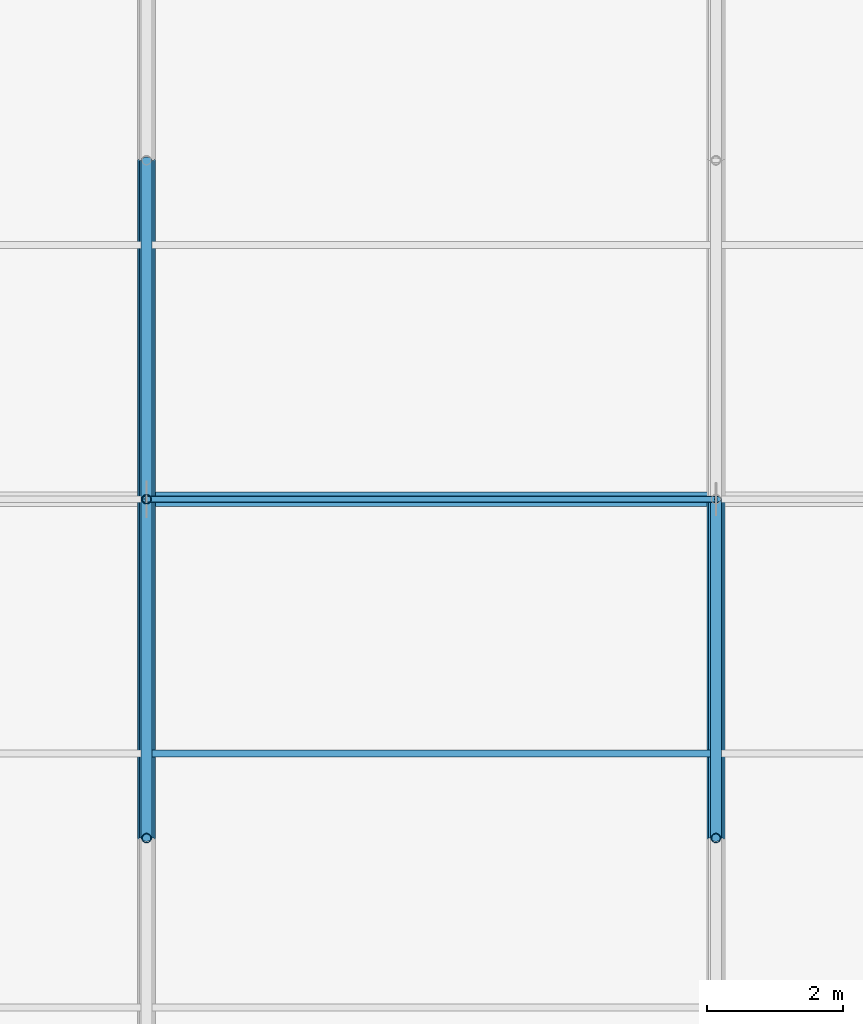
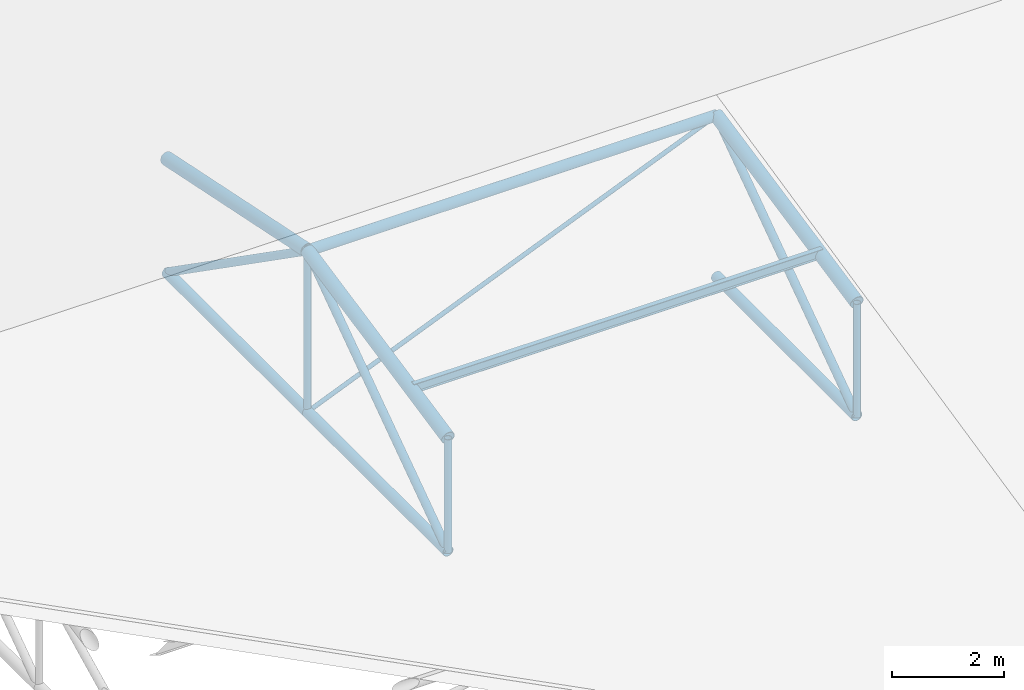
# One storey, part 83 of 194: 14 members, 1 beam.
"""IFC4 building model written with IfcOpenShell, lengths in metres."""

from ifc_helpers import new_model, si_unit, direction, frame, origin, origin_2d, place, context, subcontext, project, spatial, hollow_circle, i_section, extrude, material, material_profile, profile_set, type_object, element, save


model = new_model("IFC4")

# Units and contexts
model_context = context("Model", 3, precision=1e-05, world=origin(), true_north=direction((0.0, 1.0)))
body_context = subcontext(model_context, "Body", "Model", "MODEL_VIEW")
ifc_project = project(units=[si_unit("LENGTHUNIT", "METRE"), si_unit("AREAUNIT", "SQUARE_METRE"), si_unit("VOLUMEUNIT", "CUBIC_METRE"), si_unit("PLANEANGLEUNIT", "RADIAN"), si_unit("MASSUNIT", "GRAM", prefix="KILO")], contexts=[model_context])

# Site, building, storey
site_placement = place(None, origin())
site = spatial("IfcSite", under=ifc_project, at=site_placement, CompositionType="ELEMENT")
building_placement = place(site_placement, origin())
building = spatial("IfcBuilding", under=site, at=building_placement, Name="Kazenagashi Tramway Depot", CompositionType="ELEMENT")
storey_placement = place(building_placement, frame((0.0, 0.0, 23.7)))
storey = spatial("IfcBuildingStorey", under=building, at=storey_placement, Name="ROOF", CompositionType="ELEMENT", Elevation=23.7)

# Beam
ifc_material_1 = material(Name="Steel SN400B", Category="steel")
ifc_material_profile_1 = material_profile(ifc_material_1, i_section(OverallWidth=0.1, OverallDepth=0.2, WebThickness=0.0055, FlangeThickness=0.008, at=origin_2d()), Name="H-200x100x5.5x8")
ifc_profile_set_1 = profile_set([ifc_material_profile_1], Name="Steel SN400B")
beam_type = type_object("IfcBeamType", Name="PR-01", PredefinedType="USERDEFINED", material=ifc_profile_set_1)
beam_placement = place(storey_placement, frame((162.4, 81.25, -11.305), z_axis=(1.0, 0.0, 0.0), x_axis=(0.0, 1.0, 0.0)))
element("IfcBeam", 1, at=beam_placement, inside=storey, type_object=beam_type, Name="Beam PR-01 BM-2068", ObjectType="PURLIN", PredefinedType="USERDEFINED", context=body_context, shape_type="SweptSolid", body=[
    extrude(i_section(OverallWidth=0.1, OverallDepth=0.2, WebThickness=0.0055, FlangeThickness=0.008, at=origin_2d()), origin(), (0.0, 0.0, 1.0), 8.4),
])

# Members
ifc_material_2 = material(Name="Steel STK490", Category="steel")
ifc_material_profile_2 = material_profile(ifc_material_2, hollow_circle(Radius=0.1337, WallThickness=0.0093, at=origin_2d()), Name="CHS-267.4x9.3")
ifc_profile_set_2 = profile_set([ifc_material_profile_2], Name="Steel STK490")
member_type_1 = type_object("IfcMemberType", Name="TC-01", PredefinedType="CHORD", material=ifc_profile_set_2)
for number, where, z_axis, x_axis, name in (
    (2, (162.4, 80.0, -11.633), (0.0, 0.979317999984, 0.202327098797), (-1.0, 0.0, 0.0), "Tubular Space Frame TC-01 MEM-0861"),
    (3, (162.4, 85.0, -10.6), (0.0, 0.979317999984, -0.202327098797), (-1.0, 0.0, 0.0), "Tubular Space Frame TC-01 MEM-0864"),
    (4, (170.8, 80.0, -11.633), (0.0, 0.979317999984, 0.202327098797), (-1.0, 0.0, 0.0), "Tubular Space Frame TC-01 MEM-0922"),
):
    element("IfcMember", number, at=place(storey_placement, frame(where, z_axis=z_axis, x_axis=x_axis)), inside=storey, type_object=member_type_1, Name=name, PredefinedType="CHORD", context=body_context, shape_type="SweptSolid", body=[
        extrude(hollow_circle(Radius=0.1337, WallThickness=0.0093, at=origin_2d()), origin(), (0.0, 0.0, 1.0), 5.105594),
    ])
ifc_material_profile_3 = material_profile(ifc_material_2, hollow_circle(Radius=0.10815, WallThickness=0.0082, at=origin_2d()), Name="CHS-216.3x8.2")
ifc_profile_set_3 = profile_set([ifc_material_profile_3], Name="Steel STK490")
member_type_2 = type_object("IfcMemberType", Name="TC-02", PredefinedType="CHORD", material=ifc_profile_set_3)
for number, where, z_axis, x_axis, name in (
    (5, (162.4, 80.0, -14.1), (0.0, 1.0, 0.0), (-1.0, 0.0, 0.0), "Tubular Space Frame TC-02 MEM-0862"),
    (6, (162.4, 85.0, -14.1), (0.0, 1.0, 0.0), (-1.0, 0.0, 0.0), "Tubular Space Frame TC-02 MEM-0865"),
):
    element("IfcMember", number, at=place(storey_placement, frame(where, z_axis=z_axis, x_axis=x_axis)), inside=storey, type_object=member_type_2, Name=name, PredefinedType="CHORD", context=body_context, shape_type="SweptSolid", body=[
        extrude(hollow_circle(Radius=0.10815, WallThickness=0.0082, at=origin_2d()), origin(), (0.0, 0.0, 1.0), 5.0),
    ])
member_1_placement = place(storey_placement, frame((162.4, 85.0, -10.6), z_axis=(1.0, 0.0, 0.0), x_axis=(0.0, 1.0, 0.0)))
element("IfcMember", 7, at=member_1_placement, inside=storey, type_object=member_type_2, Name="Tubular Space Frame TC-02 MEM-0882", PredefinedType="CHORD", context=body_context, shape_type="SweptSolid", body=[
    extrude(hollow_circle(Radius=0.10815, WallThickness=0.0082, at=origin_2d()), origin(), (0.0, 0.0, 1.0), 8.4),
])
member_2_placement = place(storey_placement, frame((170.8, 80.0, -14.1), z_axis=(0.0, 1.0, 0.0), x_axis=(-1.0, 0.0, 0.0)))
element("IfcMember", 8, at=member_2_placement, inside=storey, type_object=member_type_2, Name="Tubular Space Frame TC-02 MEM-0923", PredefinedType="CHORD", context=body_context, shape_type="SweptSolid", body=[
    extrude(hollow_circle(Radius=0.10815, WallThickness=0.0082, at=origin_2d()), origin(), (0.0, 0.0, 1.0), 5.0),
])
ifc_material_profile_4 = material_profile(ifc_material_2, hollow_circle(Radius=0.0826, WallThickness=0.0071, at=origin_2d()), Name="CHS-165.2x7.1")
ifc_profile_set_4 = profile_set([ifc_material_profile_4], Name="Steel STK490")
member_type_3 = type_object("IfcMemberType", Name="TS-01", PredefinedType="STRUT", material=ifc_profile_set_4)
for number, where, z_axis, x_axis, name in (
    (9, (162.4, 80.0, -14.1), (0.0, 0.819231920519, 0.573462344363), (-1.0, 0.0, 0.0), "Tubular Space Frame TS-01 MEM-0863"),
    (10, (162.4, 85.0, -10.6), (0.0, 0.819231920519, -0.573462344363), (-1.0, 0.0, 0.0), "Tubular Space Frame TS-01 MEM-0866"),
    (11, (170.8, 80.0, -14.1), (0.0, 0.819231920519, 0.573462344363), (-1.0, 0.0, 0.0), "Tubular Space Frame TS-01 MEM-0924"),
):
    element("IfcMember", number, at=place(storey_placement, frame(where, z_axis=z_axis, x_axis=x_axis)), inside=storey, type_object=member_type_3, Name=name, PredefinedType="STRUT", context=body_context, shape_type="SweptSolid", body=[
        extrude(hollow_circle(Radius=0.0826, WallThickness=0.0071, at=origin_2d()), origin(), (0.0, 0.0, 1.0), 6.103278),
    ])
ifc_material_profile_5 = material_profile(ifc_material_2, hollow_circle(Radius=0.0699, WallThickness=0.0066, at=origin_2d()), Name="CHS-139.8x6.6")
ifc_profile_set_5 = profile_set([ifc_material_profile_5], Name="Steel STK490")
member_type_4 = type_object("IfcMemberType", Name="TS-02", PredefinedType="STRUT", material=ifc_profile_set_5)
member_3_placement = place(storey_placement, frame((162.4, 80.0, -14.1), z_axis=(0.0, 0.0, 1.0), x_axis=(1.0, 0.0, 0.0)))
element("IfcMember", 12, at=member_3_placement, inside=storey, type_object=member_type_4, Name="Tubular Space Frame TS-02 MEM-0875", PredefinedType="STRUT", context=body_context, shape_type="SweptSolid", body=[
    extrude(hollow_circle(Radius=0.0699, WallThickness=0.0066, at=origin_2d()), origin(), (0.0, 0.0, 1.0), 2.467),
])
member_4_placement = place(storey_placement, frame((162.4, 85.0, -14.1), z_axis=(0.0, 0.0, 1.0), x_axis=(1.0, 0.0, 0.0)))
element("IfcMember", 13, at=member_4_placement, inside=storey, type_object=member_type_4, Name="Tubular Space Frame TS-02 MEM-0876", PredefinedType="STRUT", context=body_context, shape_type="SweptSolid", body=[
    extrude(hollow_circle(Radius=0.0699, WallThickness=0.0066, at=origin_2d()), origin(), (0.0, 0.0, 1.0), 3.5),
])
member_5_placement = place(storey_placement, frame((170.8, 80.0, -14.1), z_axis=(0.0, 0.0, 1.0), x_axis=(1.0, 0.0, 0.0)))
element("IfcMember", 14, at=member_5_placement, inside=storey, type_object=member_type_4, Name="Tubular Space Frame TS-02 MEM-0936", PredefinedType="STRUT", context=body_context, shape_type="SweptSolid", body=[
    extrude(hollow_circle(Radius=0.0699, WallThickness=0.0066, at=origin_2d()), origin(), (0.0, 0.0, 1.0), 2.467),
])
ifc_material_3 = material(Name="Steel STK400", Category="steel")
ifc_material_profile_6 = material_profile(ifc_material_3, hollow_circle(Radius=0.04455, WallThickness=0.0042, at=origin_2d()), Name="CHS-89.1x4.2")
ifc_profile_set_6 = profile_set([ifc_material_profile_6], Name="Steel STK400")
member_type_5 = type_object("IfcMemberType", Name="TS-04", PredefinedType="STRUT", material=ifc_profile_set_6)
member_6_placement = place(storey_placement, frame((162.4, 85.0, -14.1), z_axis=(0.923076923077, 0.0, 0.384615384615), x_axis=(0.0, 1.0, 0.0)))
element("IfcMember", 15, at=member_6_placement, inside=storey, type_object=member_type_5, Name="Tubular Space Frame TS-04 MEM-0883", PredefinedType="STRUT", context=body_context, shape_type="SweptSolid", body=[
    extrude(hollow_circle(Radius=0.04455, WallThickness=0.0042, at=origin_2d()), origin(), (0.0, 0.0, 1.0), 9.1),
])

save(model, "model.ifc")
